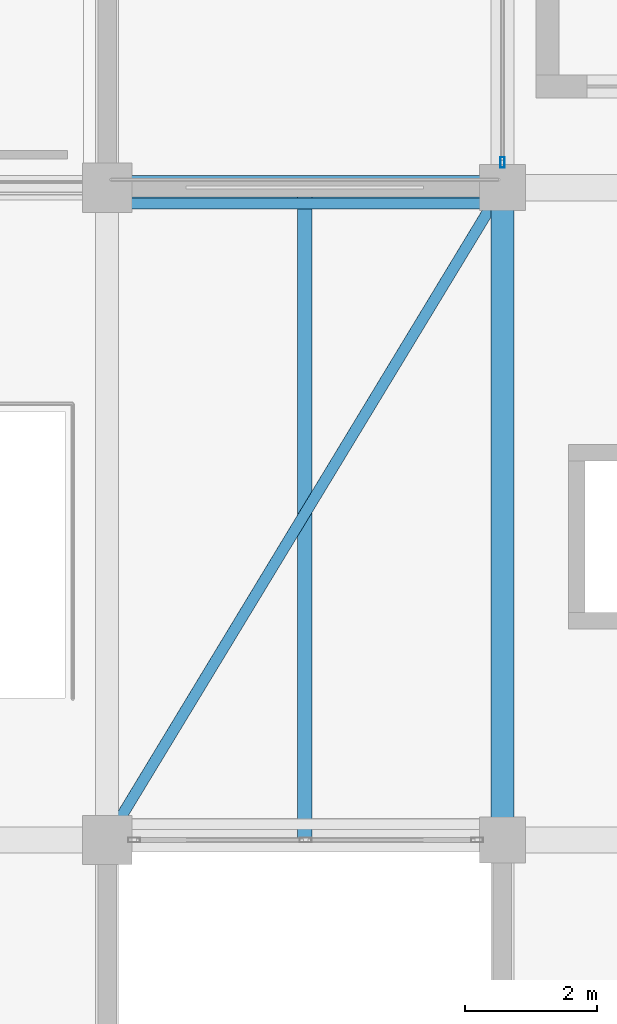
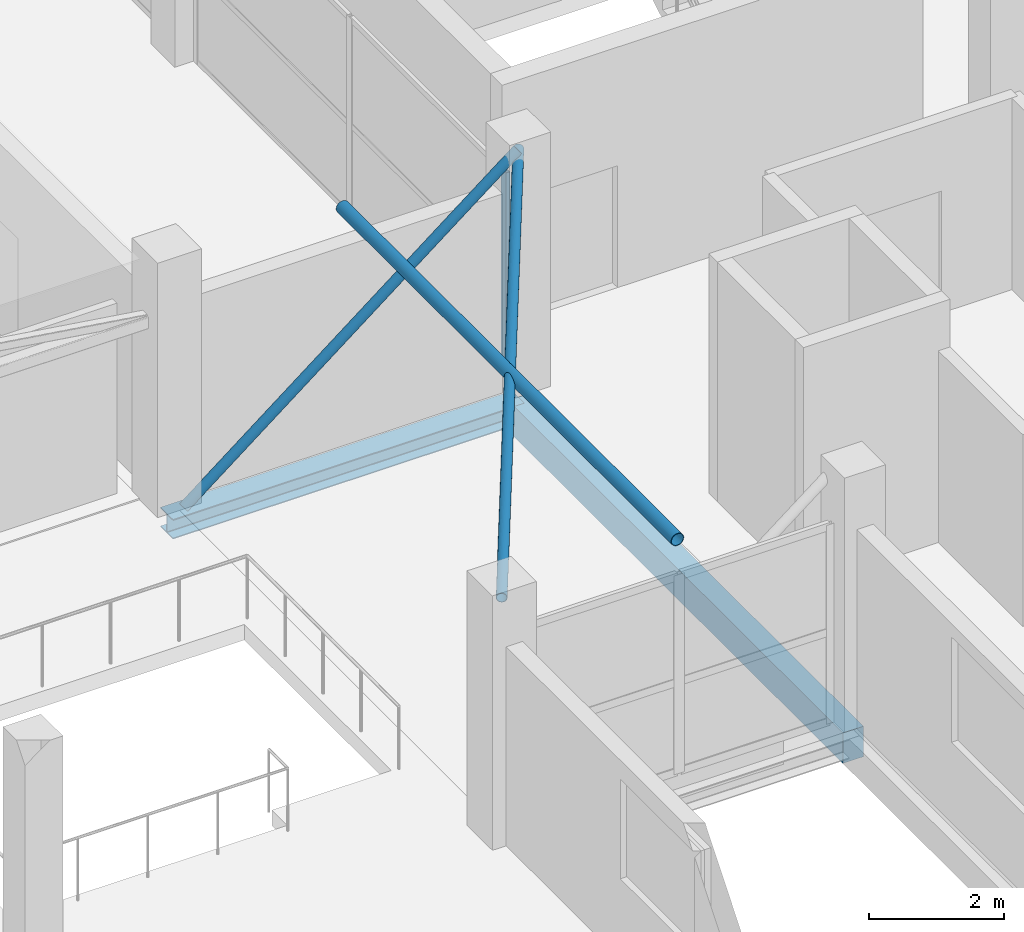
# One storey, part 17 of 69: 4 members, 2 beams, 1 element without a shape of its own.
"""IFC4 building model written with IfcOpenShell, lengths in metres."""

from ifc_helpers import new_model, si_unit, direction, frame, origin, origin_2d, place, context, subcontext, project, spatial, rectangle, hollow_rectangle, hollow_circle, i_section, extrude, material, layer, layer_set, material_profile, profile_set, type_object, element, aggregate, save


model = new_model("IFC4")

# Units and contexts
model_context = context("Model", 3, precision=1e-05, world=origin(), true_north=direction((0.0, 1.0)))
body_context = subcontext(model_context, "Body", "Model", "MODEL_VIEW")
ifc_project = project(units=[si_unit("LENGTHUNIT", "METRE"), si_unit("AREAUNIT", "SQUARE_METRE"), si_unit("VOLUMEUNIT", "CUBIC_METRE"), si_unit("PLANEANGLEUNIT", "RADIAN"), si_unit("MASSUNIT", "GRAM", prefix="KILO")], contexts=[model_context])

# Site, building, storey
site_placement = place(None, origin())
site = spatial("IfcSite", under=ifc_project, at=site_placement, CompositionType="ELEMENT")
building_placement = place(site_placement, origin())
building = spatial("IfcBuilding", under=site, at=building_placement, Name="Sillaruma Civic Art Gallery", CompositionType="ELEMENT")
storey_placement = place(building_placement, frame((0.0, 0.0, 42.330078125)))
storey = spatial("IfcBuildingStorey", under=building, at=storey_placement, Name="L08", CompositionType="ELEMENT", Elevation=42.330078125)

# Beams
ifc_material_1 = material(Name="Structural Steel ASTM A992 Gr.50", Category="steel")
ifc_material_profile_1 = material_profile(ifc_material_1, i_section(OverallWidth=0.368896484375, OverallDepth=0.35595703125, WebThickness=0.01123046875, FlangeThickness=0.01806640625, FilletRadius=0.014892578125, at=origin_2d()), Name="W360x134")
ifc_profile_set_1 = profile_set([ifc_material_profile_1], Name="Structural Steel ASTM A992 Gr.50")
beam_type_1 = type_object("IfcBeamType", Name="BM-BRIDGE-W360x134", PredefinedType="SPANDREL", material=ifc_profile_set_1)
beam_1_placement = place(storey_placement, frame((92.0, 49.5, -0.4580078125), z_axis=(1.0, 0.0, 0.0), x_axis=(0.0, 1.0, 0.0)))
element("IfcBeam", 1, at=beam_1_placement, inside=storey, type_object=beam_type_1, Name="Sky-Bridge Steel Edge Girder (BRG-S:L08:N)", PredefinedType="SPANDREL", context=body_context, shape_type="SweptSolid", body=[
    extrude(i_section(OverallWidth=0.368896484375, OverallDepth=0.35595703125, WebThickness=0.01123046875, FlangeThickness=0.01806640625, FilletRadius=0.014892578125, at=origin_2d()), origin(), (0.0, 0.0, 1.0), 6.0),
])
ifc_material_2 = material(Name="Concrete H35 (35 MPa)", Category="concrete")
ifc_material_profile_2 = material_profile(ifc_material_2, rectangle(XDim=0.35009765625, YDim=0.550048828125, at=origin_2d()), Name="RCB350x550")
ifc_profile_set_2 = profile_set([ifc_material_profile_2], Name="Concrete H35 (35 MPa)")
beam_type_2 = type_object("IfcBeamType", Name="BM-SPANDREL-RCB350x550", PredefinedType="SPANDREL", material=ifc_profile_set_2)
beam_2_placement = place(storey_placement, frame((98.0, 39.60009765625, -0.55517578125), z_axis=(0.0, 1.0, 0.0), x_axis=(-1.0, 0.0, 0.0)))
element("IfcBeam", 2, at=beam_2_placement, inside=storey, type_object=beam_type_2, Name="Beam BS-04 (L07:L:5-6)", PredefinedType="SPANDREL", context=body_context, shape_type="SweptSolid", body=[
    extrude(rectangle(XDim=0.35009765625, YDim=0.550048828125, at=origin_2d()), origin(), (0.0, 0.0, 1.0), 9.89990234375),
])

# Members
ifc_material_3 = material(Name="Structural Steel ASTM A500 Gr.C", Category="steel")
ifc_material_profile_3 = material_profile(ifc_material_3, hollow_circle(Radius=0.084228515625, WallThickness=0.007080078125, at=origin_2d()), Name="CHS168.3x7.1")
ifc_profile_set_3 = profile_set([ifc_material_profile_3], Name="Structural Steel ASTM A500 Gr.C")
member_type_1 = type_object("IfcMemberType", Name="MEM-BRIDGE-BRACE", PredefinedType="BRACE", material=ifc_profile_set_3)
member_1_placement = place(storey_placement, frame((92.14990234375, 49.260009765625, -0.080078125), z_axis=(0.787576177128, 0.0, 0.616217303571), x_axis=(0.0, 1.0, 0.0)))
element("IfcMember", 3, at=member_1_placement, inside=storey, type_object=member_type_1, Name="Sky-Bridge Elevation Truss Web Brace (BRG-S:L08:N)", PredefinedType="BRACE", context=body_context, shape_type="SweptSolid", body=[
    extrude(hollow_circle(Radius=0.084228515625, WallThickness=0.007080078125, at=origin_2d()), origin(), (0.0, 0.0, 1.0), 7.237548828125),
])
member_2_placement = place(storey_placement, frame((92.0, 39.60009765625, 4.201904296875), z_axis=(0.518305455332, 0.855195565337, 0.0), x_axis=(-0.855195565337, 0.518305455332, 0.0)))
element("IfcMember", 4, at=member_2_placement, inside=storey, type_object=member_type_1, Name="Sky-Bridge Diagonal Plan Brace (BRG-S:L09)", PredefinedType="BRACE", context=body_context, shape_type="SweptSolid", body=[
    extrude(hollow_circle(Radius=0.084228515625, WallThickness=0.007080078125, at=origin_2d()), origin(), (0.0, 0.0, 1.0), 11.576171875),
])
ifc_material_profile_4 = material_profile(ifc_material_3, hollow_circle(Radius=0.109619140625, WallThickness=0.00830078125, at=origin_2d()), Name="CHS219.1x8.2")
ifc_profile_set_4 = profile_set([ifc_material_profile_4], Name="Structural Steel ASTM A500 Gr.C")
member_type_2 = type_object("IfcMemberType", Name="MEM-BRIDGE-STRUT", PredefinedType="STRUT", material=ifc_profile_set_4)
member_3_placement = place(storey_placement, frame((95.0, 39.60009765625, 4.201904296875), z_axis=(0.0, 1.0, 0.0), x_axis=(-1.0, 0.0, 0.0)))
element("IfcMember", 5, at=member_3_placement, inside=storey, type_object=member_type_2, Name="Sky-Bridge Transverse Strut (BRG-S:L09)", PredefinedType="STRUT", context=body_context, shape_type="SweptSolid", body=[
    extrude(hollow_circle(Radius=0.109619140625, WallThickness=0.00830078125, at=origin_2d()), origin(), (0.0, 0.0, 1.0), 9.89990234375),
])

# Curtain wall, member
ifc_material_4 = material(Name="Thermally Broken Extruded Aluminium 6063-T6", Category="aluminium")
ifc_layer = layer(ifc_material_4, 0.159912109375, Name="Thermally Broken Extruded Aluminium 6063-T6")
ifc_layer_set = layer_set([ifc_layer], Name="Thermally Broken Extruded Aluminium 6063-T6")
curtain_wall_type = type_object("IfcCurtainWallType", Name="CW-UNI-35", PredefinedType="NOTDEFINED", material=ifc_layer_set)
curtain_wall_placement = place(storey_placement, origin())
curtain_wall = element("IfcCurtainWall", 6, at=curtain_wall_placement, inside=storey, type_object=curtain_wall_type, Name="Unitised Curtain Wall CW-35 (CW-L08-EBW-4)", PredefinedType="NOTDEFINED")
ifc_material_profile_5 = material_profile(ifc_material_4, hollow_rectangle(XDim=0.06494140625, YDim=0.159912109375, WallThickness=0.00390625, at=origin_2d()), Name="CWM65x160")
ifc_profile_set_5 = profile_set([ifc_material_profile_5], Name="Thermally Broken Extruded Aluminium 6063-T6")
member_type_3 = type_object("IfcMemberType", Name="MEM-MUL-CWM65x160", PredefinedType="MULLION", material=ifc_profile_set_5)
member_4_placement = place(storey_placement, frame((98.0, 49.882568359375, 0.0), z_axis=(0.0, 0.0, 1.0), x_axis=(-1.0, 0.0, 0.0)))
member_4 = element("IfcMember", 7, at=member_4_placement, type_object=member_type_3, Name="CW-35 mullion 1", PredefinedType="MULLION", context=body_context, shape_type="SweptSolid", body=[
    extrude(hollow_rectangle(XDim=0.06494140625, YDim=0.159912109375, WallThickness=0.00390625, at=origin_2d()), origin(), (0.0, 0.0, 1.0), 3.58984375),
])
aggregate(curtain_wall, [member_4])

save(model, "model.ifc")
